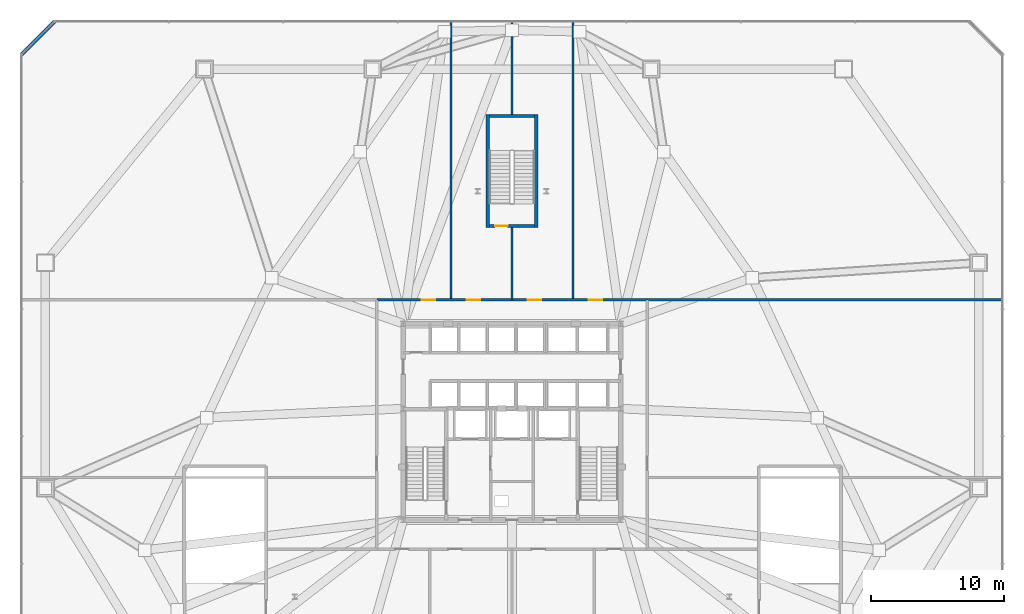
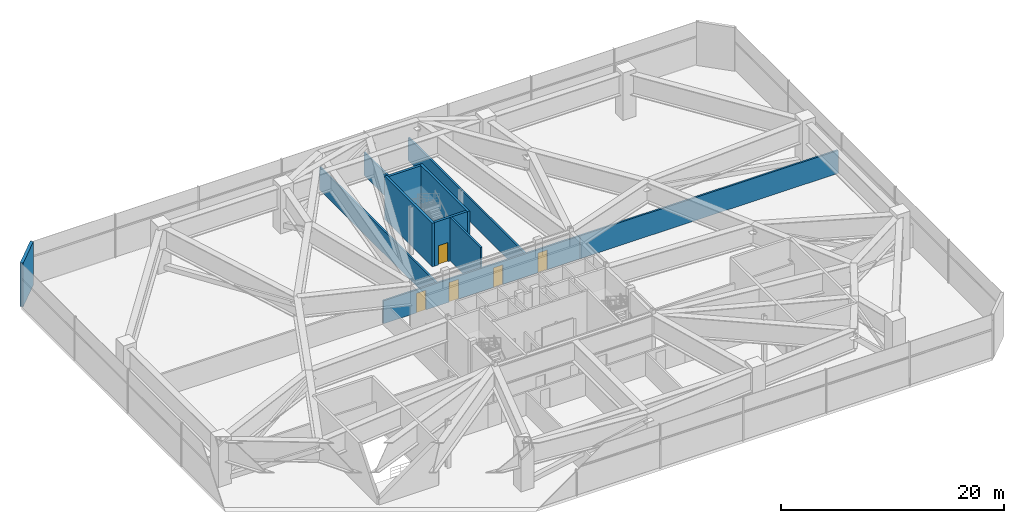
# One storey, part 24 of 29: 11 walls, 5 doors, 5 openings.
"""IFC4 building model written with IfcOpenShell, lengths in metres."""

from ifc_helpers import new_model, si_unit, direction, frame, frame_2d, origin, place, context, subcontext, project, spatial, rectangle, extrude, material, layer, layer_set, type_object, element, fill, save


model = new_model("IFC4")

# Units and contexts
model_context = context("Model", 3, precision=1e-05, world=origin(), true_north=direction((0.0, 1.0)))
body_context = subcontext(model_context, "Body", "Model", "MODEL_VIEW")
ifc_project = project(units=[si_unit("LENGTHUNIT", "METRE"), si_unit("AREAUNIT", "SQUARE_METRE"), si_unit("VOLUMEUNIT", "CUBIC_METRE"), si_unit("PLANEANGLEUNIT", "RADIAN"), si_unit("MASSUNIT", "GRAM", prefix="KILO")], contexts=[model_context])

# Site, building, storey
site_placement = place(None, origin())
site = spatial("IfcSite", under=ifc_project, at=site_placement, CompositionType="ELEMENT")
building_placement = place(site_placement, origin())
building = spatial("IfcBuilding", under=site, at=building_placement, Name="Varakhsha Concourse Tower", CompositionType="ELEMENT")
storey_placement = place(building_placement, frame((0.0, 0.0, 22.0)))
storey = spatial("IfcBuildingStorey", under=building, at=storey_placement, Name="L05", CompositionType="ELEMENT", Elevation=22.0)

# Wall
ifc_material_1 = material(Name="Concrete fc 45 MPa", Category="concrete")
ifc_layer_1 = layer(ifc_material_1, 0.300048828125, Name="WL-EXT-POD-300")
ifc_layer_set_1 = layer_set([ifc_layer_1], Name="Concrete fc 45 MPa")
wall_type_1 = type_object("IfcWallType", Name="WL-EXT-POD-300", PredefinedType="STANDARD", material=ifc_layer_set_1)
wall_1_placement = place(storey_placement, frame((5.5, 54.0, 0.0), z_axis=(0.0, 0.0, 1.0), x_axis=(-0.707106781187, -0.707106781187, 0.0)))
element("IfcWall", 1, at=wall_1_placement, inside=storey, type_object=wall_type_1, Name="L05 Podium Chamfer Wall 5", PredefinedType="STANDARD", context=body_context, shape_type="SweptSolid", body=[
    extrude(rectangle(XDim=3.53564453125, YDim=0.300048828125, at=frame_2d((1.767822265625, 0.0))), origin(), (0.0, 0.0, 1.0), 4.780029296875),
])

# Wall, openings, doors
ifc_material_2 = material(Name="Fire-Rated Type X Gypsum Partition Assembly", Category="gypsum")
ifc_layer_2 = layer(ifc_material_2, 0.179931640625, Name="WL-PART-180")
ifc_layer_set_2 = layer_set([ifc_layer_2], Name="Fire-Rated Type X Gypsum Partition Assembly")
wall_type_2 = type_object("IfcWallType", Name="WL-PART-180", PredefinedType="PARTITIONING", material=ifc_layer_set_2)
wall_2_placement = place(storey_placement, frame((29.800048828125, 33.0, 0.0), z_axis=(0.0, 0.0, 1.0), x_axis=(1.0, 0.0, 0.0)))
wall_2 = element("IfcWall", 2, at=wall_2_placement, inside=storey, type_object=wall_type_2, Name="L05 Wall PCW-N-L05", PredefinedType="PARTITIONING", context=body_context, shape_type="SweptSolid", body=[
    extrude(rectangle(XDim=20.39990234375, YDim=0.179931640625, at=frame_2d((10.199951171875, 0.0))), origin(), (0.0, 0.0, 1.0), 2.52001953125),
])
opening_1_placement = place(wall_2_placement, frame((3.39990234375, 0.0, 0.0)))
opening_1 = element("IfcOpeningElement", 3, at=opening_1_placement, cuts=wall_2, Name="Opening DF-04", PredefinedType="OPENING", context=body_context, shape_type="SweptSolid", body=[
    extrude(rectangle(XDim=1.0, YDim=2.14990234375, at=frame_2d((0.5, 1.074951171875))), frame((0.0, 0.099853515625, 0.0), z_axis=(0.0, -1.0, 0.0), x_axis=(1.0, 0.0, 0.0)), (0.0, 0.0, 1.0), 0.199951171875),
])
opening_2_placement = place(wall_2_placement, frame((6.800048828125, 0.0, 0.0)))
opening_2 = element("IfcOpeningElement", 4, at=opening_2_placement, cuts=wall_2, Name="Opening DF-04", PredefinedType="OPENING", context=body_context, shape_type="SweptSolid", body=[
    extrude(rectangle(XDim=1.0, YDim=2.14990234375, at=frame_2d((0.5, 1.074951171875))), frame((0.0, 0.099853515625, 0.0), z_axis=(0.0, -1.0, 0.0), x_axis=(1.0, 0.0, 0.0)), (0.0, 0.0, 1.0), 0.199951171875),
])
opening_3_placement = place(wall_2_placement, frame((11.39990234375, 0.0, 0.0)))
opening_3 = element("IfcOpeningElement", 5, at=opening_3_placement, cuts=wall_2, Name="Opening DF-04", PredefinedType="OPENING", context=body_context, shape_type="SweptSolid", body=[
    extrude(rectangle(XDim=1.0, YDim=2.14990234375, at=frame_2d((0.5, 1.074951171875))), frame((0.0, 0.099853515625, 0.0), z_axis=(0.0, -1.0, 0.0), x_axis=(1.0, 0.0, 0.0)), (0.0, 0.0, 1.0), 0.199951171875),
])
opening_4_placement = place(wall_2_placement, frame((16.0, 0.0, 0.0)))
opening_4 = element("IfcOpeningElement", 6, at=opening_4_placement, cuts=wall_2, Name="Opening DF-04", PredefinedType="OPENING", context=body_context, shape_type="SweptSolid", body=[
    extrude(rectangle(XDim=1.0, YDim=2.14990234375, at=frame_2d((0.5, 1.074951171875))), frame((0.0, 0.099853515625, 0.0), z_axis=(0.0, -1.0, 0.0), x_axis=(1.0, 0.0, 0.0)), (0.0, 0.0, 1.0), 0.199951171875),
])
ifc_material_3 = material(Name="Hollow Galvanised Steel Fire Door Assembly", Category="steel")
door_type_1 = type_object("IfcDoorType", Name="DR-FD60-1000", OperationType="NOTDEFINED", PredefinedType="DOOR", material=ifc_material_3)
door_1_placement = place(opening_1_placement, origin())
door_1 = element("IfcDoor", 7, at=door_1_placement, inside=storey, type_object=door_type_1, Name="L05 West Zonal HV Switchgear Plant Room Door", OperationType="SINGLE_SWING_LEFT", OverallHeight=2.14990234375, OverallWidth=1.0, PredefinedType="DOOR", context=body_context, shape_type="SweptSolid", body=[
    extrude(rectangle(XDim=1.0, YDim=2.14990234375, at=frame_2d((0.5, 1.074951171875))), frame((0.0, 0.02490234375, 0.0), z_axis=(0.0, -1.0, 0.0), x_axis=(1.0, 0.0, 0.0)), (0.0, 0.0, 1.0), 0.050048828125),
])
fill(opening_1, door_1)
door_2_placement = place(opening_2_placement, origin())
door_2 = element("IfcDoor", 8, at=door_2_placement, inside=storey, type_object=door_type_1, Name="L05 Step-Down Transformer Mechanical Plant Room Door", OperationType="SINGLE_SWING_LEFT", OverallHeight=2.14990234375, OverallWidth=1.0, PredefinedType="DOOR", context=body_context, shape_type="SweptSolid", body=[
    extrude(rectangle(XDim=1.0, YDim=2.14990234375, at=frame_2d((0.5, 1.074951171875))), frame((0.0, 0.02490234375, 0.0), z_axis=(0.0, -1.0, 0.0), x_axis=(1.0, 0.0, 0.0)), (0.0, 0.0, 1.0), 0.050048828125),
])
fill(opening_2, door_2)
door_3_placement = place(opening_3_placement, origin())
door_3 = element("IfcDoor", 9, at=door_3_placement, inside=storey, type_object=door_type_1, Name="L05 UPS Battery Inverter Mechanical Plant Room Door", OperationType="SINGLE_SWING_LEFT", OverallHeight=2.14990234375, OverallWidth=1.0, PredefinedType="DOOR", context=body_context, shape_type="SweptSolid", body=[
    extrude(rectangle(XDim=1.0, YDim=2.14990234375, at=frame_2d((0.5, 1.074951171875))), frame((0.0, 0.02490234375, 0.0), z_axis=(0.0, -1.0, 0.0), x_axis=(1.0, 0.0, 0.0)), (0.0, 0.0, 1.0), 0.050048828125),
])
fill(opening_3, door_3)
door_4_placement = place(opening_4_placement, origin())
door_4 = element("IfcDoor", 10, at=door_4_placement, inside=storey, type_object=door_type_1, Name="L05 Emergency Generator Control Plant Room Door", OperationType="SINGLE_SWING_LEFT", OverallHeight=2.14990234375, OverallWidth=1.0, PredefinedType="DOOR", context=body_context, shape_type="SweptSolid", body=[
    extrude(rectangle(XDim=1.0, YDim=2.14990234375, at=frame_2d((0.5, 1.074951171875))), frame((0.0, 0.02490234375, 0.0), z_axis=(0.0, -1.0, 0.0), x_axis=(1.0, 0.0, 0.0)), (0.0, 0.0, 1.0), 0.050048828125),
])
fill(opening_4, door_4)

# Walls
wall_3_placement = place(storey_placement, frame((50.199951171875, 33.0, 0.0), z_axis=(0.0, 0.0, 1.0), x_axis=(1.0, 0.0, 0.0)))
element("IfcWall", 11, at=wall_3_placement, inside=storey, type_object=wall_type_2, Name="L05 Wall PDIV-EN-L05", PredefinedType="PARTITIONING", context=body_context, shape_type="SweptSolid", body=[
    extrude(rectangle(XDim=26.760009765625, YDim=0.179931640625, at=frame_2d((13.3798828125, 0.0))), origin(), (0.0, 0.0, 1.0), 2.52001953125),
])
wall_4_placement = place(storey_placement, frame((35.39990234375, 33.0, 0.0), z_axis=(0.0, 0.0, 1.0), x_axis=(0.0, 1.0, 0.0)))
element("IfcWall", 12, at=wall_4_placement, inside=storey, type_object=wall_type_2, Name="L05 Wall PDIV-N1-L05", PredefinedType="PARTITIONING", context=body_context, shape_type="SweptSolid", body=[
    extrude(rectangle(XDim=20.9599609375, YDim=0.179931640625, at=frame_2d((10.47998046875, 0.0))), origin(), (0.0, 0.0, 1.0), 2.52001953125),
])
wall_5_placement = place(storey_placement, frame((40.0, 33.0, 0.0), z_axis=(0.0, 0.0, 1.0), x_axis=(0.0, 1.0, 0.0)))
element("IfcWall", 13, at=wall_5_placement, inside=storey, type_object=wall_type_2, Name="L05 Wall PDIV-N2-L05", PredefinedType="PARTITIONING", context=body_context, shape_type="SweptSolid", body=[
    extrude(rectangle(XDim=5.449951171875, YDim=0.179931640625, at=frame_2d((2.72509765625, 0.0))), origin(), (0.0, 0.0, 1.0), 4.780029296875),
])
wall_6_placement = place(storey_placement, frame((40.0, 47.0, 0.0), z_axis=(0.0, 0.0, 1.0), x_axis=(0.0, 1.0, 0.0)))
element("IfcWall", 14, at=wall_6_placement, inside=storey, type_object=wall_type_2, Name="L05 Wall PDIV-N2-L05-B", PredefinedType="PARTITIONING", context=body_context, shape_type="SweptSolid", body=[
    extrude(rectangle(XDim=6.9599609375, YDim=0.179931640625, at=frame_2d((3.47998046875, 0.0))), origin(), (0.0, 0.0, 1.0), 2.52001953125),
])
wall_7_placement = place(storey_placement, frame((44.60009765625, 33.0, 0.0), z_axis=(0.0, 0.0, 1.0), x_axis=(0.0, 1.0, 0.0)))
element("IfcWall", 15, at=wall_7_placement, inside=storey, type_object=wall_type_2, Name="L05 Wall PDIV-N3-L05", PredefinedType="PARTITIONING", context=body_context, shape_type="SweptSolid", body=[
    extrude(rectangle(XDim=20.9599609375, YDim=0.179931640625, at=frame_2d((10.47998046875, 0.0))), origin(), (0.0, 0.0, 1.0), 2.52001953125),
])
ifc_layer_3 = layer(ifc_material_1, 0.25, Name="WL-STAIR-250")
ifc_layer_set_3 = layer_set([ifc_layer_3], Name="Concrete fc 45 MPa")
wall_type_3 = type_object("IfcWallType", Name="WL-STAIR-250", PredefinedType="SHEAR", material=ifc_layer_set_3)
for number, where, z_axis, x_axis, name in (
    (16, (38.175048828125, 38.449951171875, 0.0), (0.0, 0.0, 1.0), (0.0, 1.0, 0.0), "L05 Wall SWALL-ST5-W-L05"),
    (17, (41.824951171875, 38.449951171875, 0.0), (0.0, 0.0, 1.0), (0.0, 1.0, 0.0), "L05 Wall SWALL-ST5-E-L05"),
):
    element("IfcWall", number, at=place(storey_placement, frame(where, z_axis=z_axis, x_axis=x_axis)), inside=storey, type_object=wall_type_3, Name=name, PredefinedType="SHEAR", context=body_context, shape_type="SweptSolid", body=[
        extrude(rectangle(XDim=8.550048828125, YDim=0.25, at=frame_2d((4.27490234375, 0.0))), origin(), (0.0, 0.0, 1.0), 4.780029296875),
    ])

# Wall, opening, door
wall_8_placement = place(storey_placement, frame((38.300048828125, 38.574951171875, 0.0), z_axis=(0.0, 0.0, 1.0), x_axis=(1.0, 0.0, 0.0)))
wall_8 = element("IfcWall", 18, at=wall_8_placement, inside=storey, type_object=wall_type_3, Name="L05 Wall SWALL-ST5-S-L05", PredefinedType="SHEAR", context=body_context, shape_type="SweptSolid", body=[
    extrude(rectangle(XDim=3.39990234375, YDim=0.25, at=frame_2d((1.699951171875, 0.0))), origin(), (0.0, 0.0, 1.0), 4.780029296875),
])
opening_5_placement = place(wall_8_placement, frame((0.425048828125, 0.0, 0.0)))
opening_5 = element("IfcOpeningElement", 19, at=opening_5_placement, cuts=wall_8, Name="Opening DF-03", PredefinedType="OPENING", context=body_context, shape_type="SweptSolid", body=[
    extrude(rectangle(XDim=0.949951171875, YDim=2.10009765625, at=frame_2d((0.47509765625, 1.050048828125))), frame((0.0, 0.135009765625, 0.0), z_axis=(0.0, -1.0, 0.0), x_axis=(1.0, 0.0, 0.0)), (0.0, 0.0, 1.0), 0.27001953125),
])
door_type_2 = type_object("IfcDoorType", Name="DR-FD90-950", OperationType="NOTDEFINED", PredefinedType="DOOR", material=ifc_material_3)
door_5_placement = place(opening_5_placement, origin())
door_5 = element("IfcDoor", 20, at=door_5_placement, inside=storey, type_object=door_type_2, Name="L05 Stair ST5 Fire Door", OperationType="SINGLE_SWING_RIGHT", OverallHeight=2.10009765625, OverallWidth=0.949951171875, PredefinedType="DOOR", context=body_context, shape_type="SweptSolid", body=[
    extrude(rectangle(XDim=0.949951171875, YDim=2.10009765625, at=frame_2d((0.47509765625, 1.050048828125))), frame((0.0, 0.02490234375, 0.0), z_axis=(0.0, -1.0, 0.0), x_axis=(1.0, 0.0, 0.0)), (0.0, 0.0, 1.0), 0.050048828125),
])
fill(opening_5, door_5)

# Wall
wall_9_placement = place(storey_placement, frame((38.300048828125, 46.875, 0.0), z_axis=(0.0, 0.0, 1.0), x_axis=(1.0, 0.0, 0.0)))
element("IfcWall", 21, at=wall_9_placement, inside=storey, type_object=wall_type_3, Name="L05 Wall SWALL-ST5-N-L05", PredefinedType="SHEAR", context=body_context, shape_type="SweptSolid", body=[
    extrude(rectangle(XDim=3.39990234375, YDim=0.25, at=frame_2d((1.699951171875, 0.0))), origin(), (0.0, 0.0, 1.0), 4.780029296875),
])

save(model, "model.ifc")
